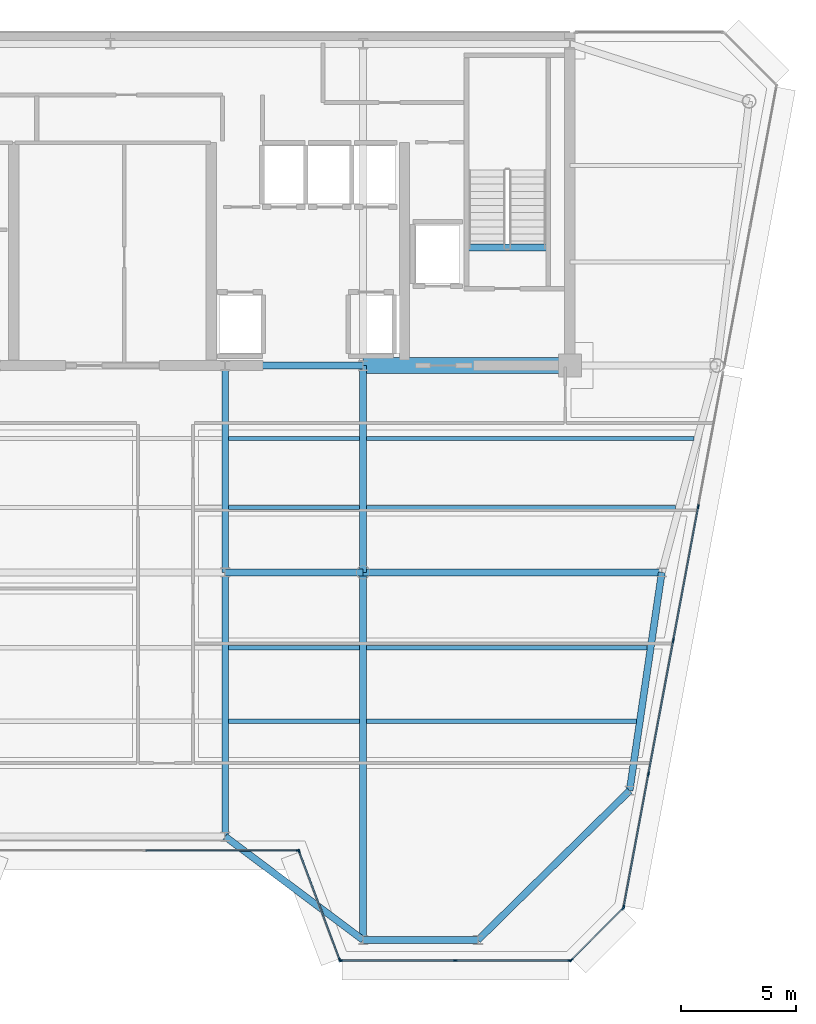
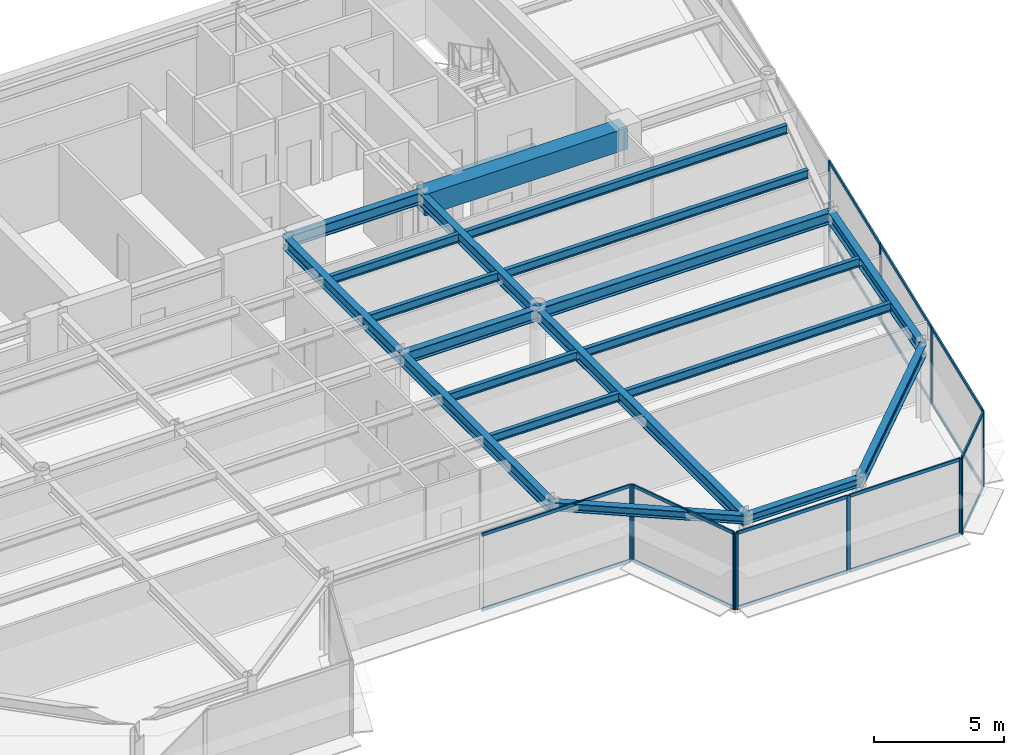
# One storey, part 5 of 18: 28 members, 21 beams, 5 elements without a shape of their own.
"""IFC4 building model written with IfcOpenShell, lengths in metres."""

from ifc_helpers import new_model, si_unit, direction, frame, origin, origin_2d, place, context, subcontext, project, spatial, rectangle, i_section, extrude, source, transform, mapped, material, layer, layer_set, material_profile, profile_set, type_object, element, aggregate, save


model = new_model("IFC4")

# Units and contexts
model_context = context("Model", 3, precision=1e-05, world=origin(), true_north=direction((0.0, 1.0)))
body_context = subcontext(model_context, "Body", "Model", "MODEL_VIEW")
ifc_project = project(units=[si_unit("LENGTHUNIT", "METRE"), si_unit("AREAUNIT", "SQUARE_METRE"), si_unit("VOLUMEUNIT", "CUBIC_METRE"), si_unit("PLANEANGLEUNIT", "RADIAN"), si_unit("MASSUNIT", "GRAM", prefix="KILO")], contexts=[model_context])

# Site, building, storey
site_placement = place(None, origin())
site = spatial("IfcSite", under=ifc_project, at=site_placement, CompositionType="ELEMENT")
building_placement = place(site_placement, origin())
building = spatial("IfcBuilding", under=site, at=building_placement, Name="Vaeldorn Concourse Tower", CompositionType="ELEMENT")
storey_placement = place(building_placement, frame((0.0, 0.0, 246.0)))
storey = spatial("IfcBuildingStorey", under=building, at=storey_placement, Name="L63", CompositionType="ELEMENT", Elevation=246.0)

# Beams
ifc_material_1 = material(Name="Concrete C50/60", Category="concrete")
ifc_material_profile_1 = material_profile(ifc_material_1, rectangle(XDim=0.699951171875, YDim=1.0, at=origin_2d()), Name="RC 700x1000")
ifc_profile_set_1 = profile_set([ifc_material_profile_1], Name="Concrete C50/60")
beam_type_1 = type_object("IfcBeamType", Name="BM-CB-RC700", PredefinedType="BEAM", material=ifc_profile_set_1)
shared_shape_1 = source(origin(), body_context, "Body", "SweptSolid", [
    extrude(rectangle(XDim=0.699951171875, YDim=1.0, at=origin_2d()), origin(), (0.0, 0.0, 1.0), 9.0),
])
beam_1_placement = place(storey_placement, frame((45.0, 36.5, 3.080078125), z_axis=(1.0, 0.0, 0.0), x_axis=(0.0, 1.0, 0.0)))
element("IfcBeam", 1, at=beam_1_placement, inside=storey, type_object=beam_type_1, Name="Core Coupling Beam L63-2", PredefinedType="BEAM", context=body_context, shape_type="MappedRepresentation", body=[
    mapped(shared_shape_1, transform((0.0, 0.0, 0.0), scale=1.0)),
])
ifc_material_2 = material(Name="Steel S355", Category="steel")
ifc_material_profile_2 = material_profile(ifc_material_2, i_section(OverallWidth=0.300048828125, OverallDepth=0.340087890625, WebThickness=0.011962890625, FlangeThickness=0.021484375, FilletRadius=0.027099609375, at=origin_2d()), Name="HEB 340")
ifc_profile_set_2 = profile_set([ifc_material_profile_2], Name="Steel S355")
beam_type_2 = type_object("IfcBeamType", Name="BM-ST-TRIM", PredefinedType="BEAM", material=ifc_profile_set_2)
shared_shape_2 = source(origin(), body_context, "Body", "SweptSolid", [
    extrude(i_section(OverallWidth=0.300048828125, OverallDepth=0.340087890625, WebThickness=0.011962890625, FlangeThickness=0.021484375, FilletRadius=0.027099609375, at=origin_2d()), origin(), (0.0, 0.0, 1.0), 3.590087890625),
])
beam_2_placement = place(storey_placement, frame((49.47998046875, 41.639892578125, -0.389892578125), z_axis=(1.0, 0.0, 0.0), x_axis=(0.0, 1.0, 0.0)))
element("IfcBeam", 2, at=beam_2_placement, inside=storey, type_object=beam_type_2, Name="Stair Landing Trimmer Beam ST-2 L63", PredefinedType="BEAM", context=body_context, shape_type="MappedRepresentation", body=[
    mapped(shared_shape_2, transform((0.0, 0.0, 0.0), scale=1.0)),
])
ifc_material_profile_3 = material_profile(ifc_material_2, i_section(OverallWidth=0.300048828125, OverallDepth=0.39990234375, WebThickness=0.013427734375, FlangeThickness=0.02392578125, FilletRadius=0.027099609375, at=origin_2d()), Name="HEB 400")
ifc_profile_set_3 = profile_set([ifc_material_profile_3], Name="Steel S355")
beam_type_3 = type_object("IfcBeamType", Name="BM-SP-HEB400", PredefinedType="SPANDREL", material=ifc_profile_set_3)
shared_shape_3 = source(origin(), body_context, "Body", "SweptSolid", [
    extrude(i_section(OverallWidth=0.300048828125, OverallDepth=0.39990234375, WebThickness=0.013427734375, FlangeThickness=0.02392578125, FilletRadius=0.027099609375, at=origin_2d()), origin(), (0.0, 0.0, 1.0), 5.0),
])
beam_3_placement = place(storey_placement, frame((45.0, 11.5, 3.3798828125), z_axis=(1.0, 0.0, 0.0), x_axis=(0.0, 1.0, 0.0)))
element("IfcBeam", 3, at=beam_3_placement, inside=storey, type_object=beam_type_3, Name="Beam BM-L63-C-SF5-C-SF6", PredefinedType="SPANDREL", context=body_context, shape_type="MappedRepresentation", body=[
    mapped(shared_shape_3, transform((0.0, 0.0, 0.0), scale=1.0)),
])
shared_shape_4 = source(origin(), body_context, "Body", "SweptSolid", [
    extrude(i_section(OverallWidth=0.300048828125, OverallDepth=0.39990234375, WebThickness=0.013427734375, FlangeThickness=0.02392578125, FilletRadius=0.027099609375, at=origin_2d()), origin(), (0.0, 0.0, 1.0), 7.5),
])
beam_4_placement = place(storey_placement, frame((39.0, 16.0, 3.3798828125), z_axis=(0.8, -0.6, 0.0), x_axis=(0.6, 0.8, 0.0)))
element("IfcBeam", 4, at=beam_4_placement, inside=storey, type_object=beam_type_3, Name="Beam BM-L63-C-SF4-C-SF5", PredefinedType="SPANDREL", context=body_context, shape_type="MappedRepresentation", body=[
    mapped(shared_shape_4, transform((0.0, 0.0, 0.0), scale=1.0)),
])
ifc_material_profile_4 = material_profile(ifc_material_2, i_section(OverallWidth=0.179931640625, OverallDepth=0.39990234375, WebThickness=0.008544921875, FlangeThickness=0.013427734375, FilletRadius=0.02099609375, at=origin_2d()), Name="IPE 400")
ifc_profile_set_4 = profile_set([ifc_material_profile_4], Name="Steel S355")
beam_type_4 = type_object("IfcBeamType", Name="BM-JS-IPE400", PredefinedType="JOIST", material=ifc_profile_set_4)
shared_shape_5 = source(origin(), body_context, "Body", "SweptSolid", [
    extrude(i_section(OverallWidth=0.179931640625, OverallDepth=0.39990234375, WebThickness=0.008544921875, FlangeThickness=0.013427734375, FilletRadius=0.02099609375, at=origin_2d()), origin(), (0.0, 0.0, 1.0), 5.7001953125),
])
for number, where, z_axis, x_axis, name in (
    (5, (39.14990234375, 21.02001953125, 3.3798828125), (1.0, 0.0, 0.0), (0.0, 1.0, 0.0), "Beam JS-L63-E2-210"),
    (6, (39.14990234375, 24.219970703125, 3.3798828125), (1.0, 0.0, 0.0), (0.0, 1.0, 0.0), "Beam JS-L63-E2-242"),
    (7, (39.14990234375, 30.320068359375, 3.3798828125), (1.0, 0.0, 0.0), (0.0, 1.0, 0.0), "Beam JS-L63-E2-303"),
    (8, (39.14990234375, 33.320068359375, 3.3798828125), (1.0, 0.0, 0.0), (0.0, 1.0, 0.0), "Beam JS-L63-E2-333"),
):
    element("IfcBeam", number, at=place(storey_placement, frame(where, z_axis=z_axis, x_axis=x_axis)), inside=storey, type_object=beam_type_4, Name=name, PredefinedType="JOIST", context=body_context, shape_type="MappedRepresentation", body=[
        mapped(shared_shape_5, transform((0.0, 0.0, 0.0), scale=1.0)),
    ])
shared_shape_6 = source(origin(), body_context, "Body", "SweptSolid", [
    extrude(i_section(OverallWidth=0.179931640625, OverallDepth=0.39990234375, WebThickness=0.008544921875, FlangeThickness=0.013427734375, FilletRadius=0.02099609375, at=origin_2d()), origin(), (0.0, 0.0, 1.0), 11.7451171875),
])
beam_5_placement = place(storey_placement, frame((45.14990234375, 21.02001953125, 3.3798828125), z_axis=(1.0, 0.0, 0.0), x_axis=(0.0, 1.0, 0.0)))
element("IfcBeam", 9, at=beam_5_placement, inside=storey, type_object=beam_type_4, Name="Beam JS-L63-E1-210", PredefinedType="JOIST", context=body_context, shape_type="MappedRepresentation", body=[
    mapped(shared_shape_6, transform((0.0, 0.0, 0.0), scale=1.0)),
])
shared_shape_7 = source(origin(), body_context, "Body", "SweptSolid", [
    extrude(i_section(OverallWidth=0.179931640625, OverallDepth=0.39990234375, WebThickness=0.008544921875, FlangeThickness=0.013427734375, FilletRadius=0.02099609375, at=origin_2d()), origin(), (0.0, 0.0, 1.0), 12.216796875),
])
beam_6_placement = place(storey_placement, frame((45.14990234375, 24.219970703125, 3.3798828125), z_axis=(1.0, 0.0, 0.0), x_axis=(0.0, 1.0, 0.0)))
element("IfcBeam", 10, at=beam_6_placement, inside=storey, type_object=beam_type_4, Name="Beam JS-L63-E1-242", PredefinedType="JOIST", context=body_context, shape_type="MappedRepresentation", body=[
    mapped(shared_shape_7, transform((0.0, 0.0, 0.0), scale=1.0)),
])
shared_shape_8 = source(origin(), body_context, "Body", "SweptSolid", [
    extrude(i_section(OverallWidth=0.179931640625, OverallDepth=0.39990234375, WebThickness=0.008544921875, FlangeThickness=0.013427734375, FilletRadius=0.02099609375, at=origin_2d()), origin(), (0.0, 0.0, 1.0), 13.4521484375),
])
beam_7_placement = place(storey_placement, frame((45.14990234375, 30.320068359375, 3.3798828125), z_axis=(1.0, 0.0, 0.0), x_axis=(0.0, 1.0, 0.0)))
element("IfcBeam", 11, at=beam_7_placement, inside=storey, type_object=beam_type_4, Name="Beam JS-L63-E1-303", PredefinedType="JOIST", context=body_context, shape_type="MappedRepresentation", body=[
    mapped(shared_shape_8, transform((0.0, 0.0, 0.0), scale=1.0)),
])
shared_shape_9 = source(origin(), body_context, "Body", "SweptSolid", [
    extrude(i_section(OverallWidth=0.179931640625, OverallDepth=0.39990234375, WebThickness=0.008544921875, FlangeThickness=0.013427734375, FilletRadius=0.02099609375, at=origin_2d()), origin(), (0.0, 0.0, 1.0), 14.252197265625),
])
beam_8_placement = place(storey_placement, frame((45.14990234375, 33.320068359375, 3.3798828125), z_axis=(1.0, 0.0, 0.0), x_axis=(0.0, 1.0, 0.0)))
element("IfcBeam", 12, at=beam_8_placement, inside=storey, type_object=beam_type_4, Name="Beam JS-L63-E1-333", PredefinedType="JOIST", context=body_context, shape_type="MappedRepresentation", body=[
    mapped(shared_shape_9, transform((0.0, 0.0, 0.0), scale=1.0)),
])
ifc_material_profile_5 = material_profile(ifc_material_2, i_section(OverallWidth=0.300048828125, OverallDepth=0.550048828125, WebThickness=0.014892578125, FlangeThickness=0.029052734375, FilletRadius=0.027099609375, at=origin_2d()), Name="HEB 550")
ifc_profile_set_5 = profile_set([ifc_material_profile_5], Name="Steel S355")
beam_type_5 = type_object("IfcBeamType", Name="BM-PG-HEB550", PredefinedType="BEAM", material=ifc_profile_set_5)
shared_shape_10 = source(origin(), body_context, "Body", "SweptSolid", [
    extrude(i_section(OverallWidth=0.300048828125, OverallDepth=0.550048828125, WebThickness=0.014892578125, FlangeThickness=0.029052734375, FilletRadius=0.027099609375, at=origin_2d()), origin(), (0.0, 0.0, 1.0), 6.0),
])
for number, where, z_axis, x_axis, name in (
    (13, (39.0, 36.5, 3.304931640625), (1.0, 0.0, 0.0), (0.0, 1.0, 0.0), "Beam BM-L63-C-FC4-C-FC5"),
    (14, (39.0, 27.5, 3.304931640625), (1.0, 0.0, 0.0), (0.0, 1.0, 0.0), "Beam BM-L63-C-TW3-C-TW4"),
):
    element("IfcBeam", number, at=place(storey_placement, frame(where, z_axis=z_axis, x_axis=x_axis)), inside=storey, type_object=beam_type_5, Name=name, PredefinedType="BEAM", context=body_context, shape_type="MappedRepresentation", body=[
        mapped(shared_shape_10, transform((0.0, 0.0, 0.0), scale=1.0)),
    ])
shared_shape_11 = source(origin(), body_context, "Body", "SweptSolid", [
    extrude(i_section(OverallWidth=0.300048828125, OverallDepth=0.550048828125, WebThickness=0.014892578125, FlangeThickness=0.029052734375, FilletRadius=0.027099609375, at=origin_2d()), origin(), (0.0, 0.0, 1.0), 9.0),
])
for number, where, z_axis, x_axis, name in (
    (15, (39.0, 27.5, 3.304931640625), (0.0, 1.0, 0.0), (-1.0, 0.0, 0.0), "Beam BM-L63-C-TW3-C-FC4"),
    (16, (45.0, 27.5, 3.304931640625), (0.0, 1.0, 0.0), (-1.0, 0.0, 0.0), "Beam BM-L63-C-TW4-C-FC5"),
):
    element("IfcBeam", number, at=place(storey_placement, frame(where, z_axis=z_axis, x_axis=x_axis)), inside=storey, type_object=beam_type_5, Name=name, PredefinedType="BEAM", context=body_context, shape_type="MappedRepresentation", body=[
        mapped(shared_shape_11, transform((0.0, 0.0, 0.0), scale=1.0)),
    ])
shared_shape_12 = source(origin(), body_context, "Body", "SweptSolid", [
    extrude(i_section(OverallWidth=0.300048828125, OverallDepth=0.550048828125, WebThickness=0.014892578125, FlangeThickness=0.029052734375, FilletRadius=0.027099609375, at=origin_2d()), origin(), (0.0, 0.0, 1.0), 13.0),
])
beam_9_placement = place(storey_placement, frame((45.0, 27.5, 3.304931640625), z_axis=(1.0, 0.0, 0.0), x_axis=(0.0, 1.0, 0.0)))
element("IfcBeam", 17, at=beam_9_placement, inside=storey, type_object=beam_type_5, Name="Beam BM-L63-C-TW4-C-FLE1", PredefinedType="BEAM", context=body_context, shape_type="MappedRepresentation", body=[
    mapped(shared_shape_12, transform((0.0, 0.0, 0.0), scale=1.0)),
])
shared_shape_13 = source(origin(), body_context, "Body", "SweptSolid", [
    extrude(i_section(OverallWidth=0.300048828125, OverallDepth=0.550048828125, WebThickness=0.014892578125, FlangeThickness=0.029052734375, FilletRadius=0.027099609375, at=origin_2d()), origin(), (0.0, 0.0, 1.0), 9.6025390625),
])
beam_10_placement = place(storey_placement, frame((58.0, 27.5, 3.304931640625), z_axis=(-0.145783835977, -0.989316467652, 0.0), x_axis=(0.989316467652, -0.145783835977, 0.0)))
element("IfcBeam", 18, at=beam_10_placement, inside=storey, type_object=beam_type_5, Name="Beam BM-L63-C-FLE1-C-FLE2", PredefinedType="BEAM", context=body_context, shape_type="MappedRepresentation", body=[
    mapped(shared_shape_13, transform((0.0, 0.0, 0.0), scale=1.0)),
])
shared_shape_14 = source(origin(), body_context, "Body", "SweptSolid", [
    extrude(i_section(OverallWidth=0.300048828125, OverallDepth=0.550048828125, WebThickness=0.014892578125, FlangeThickness=0.029052734375, FilletRadius=0.027099609375, at=origin_2d()), origin(), (0.0, 0.0, 1.0), 9.263427734375),
])
beam_11_placement = place(storey_placement, frame((50.0, 11.5, 3.304931640625), z_axis=(0.71248897494, 0.701683305053, 0.0), x_axis=(-0.701683305053, 0.71248897494, 0.0)))
element("IfcBeam", 19, at=beam_11_placement, inside=storey, type_object=beam_type_5, Name="Beam BM-L63-C-SF6-C-FLE2", PredefinedType="BEAM", context=body_context, shape_type="MappedRepresentation", body=[
    mapped(shared_shape_14, transform((0.0, 0.0, 0.0), scale=1.0)),
])
shared_shape_15 = source(origin(), body_context, "Body", "SweptSolid", [
    extrude(i_section(OverallWidth=0.300048828125, OverallDepth=0.550048828125, WebThickness=0.014892578125, FlangeThickness=0.029052734375, FilletRadius=0.027099609375, at=origin_2d()), origin(), (0.0, 0.0, 1.0), 16.0),
])
beam_12_placement = place(storey_placement, frame((45.0, 11.5, 3.304931640625), z_axis=(0.0, 1.0, 0.0), x_axis=(-1.0, 0.0, 0.0)))
element("IfcBeam", 20, at=beam_12_placement, inside=storey, type_object=beam_type_5, Name="Beam BM-L63-C-SF5-C-TW4", PredefinedType="BEAM", context=body_context, shape_type="MappedRepresentation", body=[
    mapped(shared_shape_15, transform((0.0, 0.0, 0.0), scale=1.0)),
])
shared_shape_16 = source(origin(), body_context, "Body", "SweptSolid", [
    extrude(i_section(OverallWidth=0.300048828125, OverallDepth=0.550048828125, WebThickness=0.014892578125, FlangeThickness=0.029052734375, FilletRadius=0.027099609375, at=origin_2d()), origin(), (0.0, 0.0, 1.0), 11.5),
])
beam_13_placement = place(storey_placement, frame((39.0, 16.0, 3.304931640625), z_axis=(0.0, 1.0, 0.0), x_axis=(-1.0, 0.0, 0.0)))
element("IfcBeam", 21, at=beam_13_placement, inside=storey, type_object=beam_type_5, Name="Beam BM-L63-C-SF4-C-TW3", PredefinedType="BEAM", context=body_context, shape_type="MappedRepresentation", body=[
    mapped(shared_shape_16, transform((0.0, 0.0, 0.0), scale=1.0)),
])

# Curtain wall, members
ifc_material_3 = material(Name="Anodised Bronze Aluminium", Category="aluminium")
ifc_layer = layer(ifc_material_3, 0.179931640625)
ifc_layer_set = layer_set([ifc_layer], Name="Anodised Bronze Aluminium")
curtain_wall_type = type_object("IfcCurtainWallType", Name="CW-SYS-05", PredefinedType="NOTDEFINED", material=ifc_layer_set)
curtain_wall_1_placement = place(storey_placement, origin())
curtain_wall_1 = element("IfcCurtainWall", 22, at=curtain_wall_1_placement, inside=storey, type_object=curtain_wall_type, Name="Unitised Curtain Wall CW-L63-E04-1", PredefinedType="NOTDEFINED")
ifc_material_profile_6 = material_profile(ifc_material_3, rectangle(XDim=0.06494140625, YDim=0.14990234375, at=origin_2d()), Name="CWT 65x150")
ifc_profile_set_6 = profile_set([ifc_material_profile_6], Name="Anodised Bronze Aluminium")
member_type_1 = type_object("IfcMemberType", Name="CWT-BRONZE-150", PredefinedType="USERDEFINED", material=ifc_profile_set_6)
shared_shape_17 = source(origin(), body_context, "Body", "SweptSolid", [
    extrude(rectangle(XDim=0.06494140625, YDim=0.14990234375, at=origin_2d()), origin(), (0.0, 0.0, 1.0), 4.996337890625),
])
member_1_placement = place(storey_placement, frame((42.222900390625, 15.339111328125, 0.032470703125), z_axis=(0.351134151405, -0.936325161318, 0.0), x_axis=(0.936325161318, 0.351134151405, 0.0)))
member_1 = element("IfcMember", 23, at=member_1_placement, type_object=member_type_1, Name="CW-05 transom 1.1", ObjectType="TRANSOM", PredefinedType="USERDEFINED", context=body_context, shape_type="MappedRepresentation", body=[
    mapped(shared_shape_17, transform((0.0, 0.0, 0.0), scale=1.0)),
])
member_2_placement = place(storey_placement, frame((42.222900390625, 15.339111328125, 3.547607421875), z_axis=(0.351134151405, -0.936325161318, 0.0), x_axis=(0.936325161318, 0.351134151405, 0.0)))
member_2 = element("IfcMember", 24, at=member_2_placement, type_object=member_type_1, Name="CW-05 transom 1.2", ObjectType="TRANSOM", PredefinedType="USERDEFINED", context=body_context, shape_type="MappedRepresentation", body=[
    mapped(shared_shape_17, transform((0.0, 0.0, 0.0), scale=1.0)),
])

curtain_wall_2_placement = place(storey_placement, origin())
curtain_wall_2 = element("IfcCurtainWall", 25, at=curtain_wall_2_placement, inside=storey, type_object=curtain_wall_type, Name="Unitised Curtain Wall CW-L63-E03-1", PredefinedType="NOTDEFINED")
shared_shape_18 = source(origin(), body_context, "Body", "SweptSolid", [
    extrude(rectangle(XDim=0.06494140625, YDim=0.14990234375, at=origin_2d()), origin(), (0.0, 0.0, 1.0), 6.6025390625),
])
member_3_placement = place(storey_placement, frame((35.532470703125, 15.39990234375, 0.032470703125), z_axis=(1.0, 0.0, 0.0), x_axis=(0.0, 1.0, 0.0)))
member_3 = element("IfcMember", 26, at=member_3_placement, type_object=member_type_1, Name="CW-05 transom 2.1", ObjectType="TRANSOM", PredefinedType="USERDEFINED", context=body_context, shape_type="MappedRepresentation", body=[
    mapped(shared_shape_18, transform((0.0, 0.0, 0.0), scale=1.0)),
])
member_4_placement = place(storey_placement, frame((35.532470703125, 15.39990234375, 3.547607421875), z_axis=(1.0, 0.0, 0.0), x_axis=(0.0, 1.0, 0.0)))
member_4 = element("IfcMember", 27, at=member_4_placement, type_object=member_type_1, Name="CW-05 transom 2.2", ObjectType="TRANSOM", PredefinedType="USERDEFINED", context=body_context, shape_type="MappedRepresentation", body=[
    mapped(shared_shape_18, transform((0.0, 0.0, 0.0), scale=1.0)),
])

curtain_wall_3_placement = place(storey_placement, origin())
curtain_wall_3 = element("IfcCurtainWall", 28, at=curtain_wall_3_placement, inside=storey, type_object=curtain_wall_type, Name="Unitised Curtain Wall CW-L63-E06-1", PredefinedType="NOTDEFINED")
shared_shape_19 = source(origin(), body_context, "Body", "SweptSolid", [
    extrude(rectangle(XDim=0.06494140625, YDim=0.14990234375, at=origin_2d()), origin(), (0.0, 0.0, 1.0), 3.12255859375),
])
member_5_placement = place(storey_placement, frame((54.080078125, 10.64599609375, 0.032470703125), z_axis=(0.707106781187, 0.707106781187, 0.0), x_axis=(-0.707106781187, 0.707106781187, 0.0)))
member_5 = element("IfcMember", 29, at=member_5_placement, type_object=member_type_1, Name="CW-05 transom 1.1", ObjectType="TRANSOM", PredefinedType="USERDEFINED", context=body_context, shape_type="MappedRepresentation", body=[
    mapped(shared_shape_19, transform((0.0, 0.0, 0.0), scale=1.0)),
])
member_6_placement = place(storey_placement, frame((54.080078125, 10.64599609375, 3.547607421875), z_axis=(0.707106781187, 0.707106781187, 0.0), x_axis=(-0.707106781187, 0.707106781187, 0.0)))
member_6 = element("IfcMember", 30, at=member_6_placement, type_object=member_type_1, Name="CW-05 transom 1.2", ObjectType="TRANSOM", PredefinedType="USERDEFINED", context=body_context, shape_type="MappedRepresentation", body=[
    mapped(shared_shape_19, transform((0.0, 0.0, 0.0), scale=1.0)),
])

# Member
ifc_material_profile_7 = material_profile(ifc_material_3, rectangle(XDim=0.06494140625, YDim=0.169921875, at=origin_2d()), Name="CWM 65x170")
ifc_profile_set_7 = profile_set([ifc_material_profile_7], Name="Anodised Bronze Aluminium")
member_type_2 = type_object("IfcMemberType", Name="CWM-BRONZE-170", PredefinedType="MULLION", material=ifc_profile_set_7)
shared_shape_20 = source(origin(), body_context, "Body", "SweptSolid", [
    extrude(rectangle(XDim=0.06494140625, YDim=0.169921875, at=origin_2d()), origin(), (0.0, 0.0, 1.0), 3.580078125),
])
member_7_placement = place(storey_placement, frame((42.16748046875, 15.39990234375, 0.0), z_axis=(0.0, 0.0, 1.0), x_axis=(0.0, 1.0, 0.0)))
member_7 = element("IfcMember", 31, at=member_7_placement, type_object=member_type_2, Name="CW-05 mullion 3", PredefinedType="MULLION", context=body_context, shape_type="MappedRepresentation", body=[
    mapped(shared_shape_20, transform((0.0, 0.0, 0.0), scale=1.0)),
])

aggregate(curtain_wall_2, [member_7, member_3, member_4])

member_8_placement = place(storey_placement, frame((42.21142578125, 15.36962890625, 0.0), z_axis=(0.0, 0.0, 1.0), x_axis=(0.936329177566, 0.351123441595, 0.0)))
member_8 = element("IfcMember", 32, at=member_8_placement, type_object=member_type_2, Name="CW-05 mullion 1", PredefinedType="MULLION", context=body_context, shape_type="MappedRepresentation", body=[
    mapped(shared_shape_20, transform((0.0, 0.0, 0.0), scale=1.0)),
])

member_9_placement = place(storey_placement, frame((43.988525390625, 10.63037109375, 0.0), z_axis=(0.0, 0.0, 1.0), x_axis=(0.936329177566, 0.351123441595, 0.0)))
member_9 = element("IfcMember", 33, at=member_9_placement, type_object=member_type_2, Name="CW-05 mullion 2", PredefinedType="MULLION", context=body_context, shape_type="MappedRepresentation", body=[
    mapped(shared_shape_20, transform((0.0, 0.0, 0.0), scale=1.0)),
])

aggregate(curtain_wall_1, [member_8, member_9, member_1, member_2])

# Curtain wall, members
curtain_wall_4_placement = place(storey_placement, origin())
curtain_wall_4 = element("IfcCurtainWall", 34, at=curtain_wall_4_placement, inside=storey, type_object=curtain_wall_type, Name="Unitised Curtain Wall CW-L63-E05-1", PredefinedType="NOTDEFINED")
member_10_placement = place(storey_placement, frame((44.032470703125, 10.60009765625, 0.0), z_axis=(0.0, 0.0, 1.0), x_axis=(0.0, 1.0, 0.0)))
member_10 = element("IfcMember", 35, at=member_10_placement, type_object=member_type_2, Name="CW-05 mullion 1", PredefinedType="MULLION", context=body_context, shape_type="MappedRepresentation", body=[
    mapped(shared_shape_20, transform((0.0, 0.0, 0.0), scale=1.0)),
])
member_11_placement = place(storey_placement, frame((49.01708984375, 10.60009765625, 0.0), z_axis=(0.0, 0.0, 1.0), x_axis=(0.0, 1.0, 0.0)))
member_11 = element("IfcMember", 36, at=member_11_placement, type_object=member_type_2, Name="CW-05 mullion 2", PredefinedType="MULLION", context=body_context, shape_type="MappedRepresentation", body=[
    mapped(shared_shape_20, transform((0.0, 0.0, 0.0), scale=1.0)),
])
member_12_placement = place(storey_placement, frame((54.00146484375, 10.60009765625, 0.0), z_axis=(0.0, 0.0, 1.0), x_axis=(0.0, 1.0, 0.0)))
member_12 = element("IfcMember", 37, at=member_12_placement, type_object=member_type_2, Name="CW-05 mullion 3", PredefinedType="MULLION", context=body_context, shape_type="MappedRepresentation", body=[
    mapped(shared_shape_20, transform((0.0, 0.0, 0.0), scale=1.0)),
])

# Member
member_13_placement = place(storey_placement, frame((54.056884765625, 10.623046875, 0.0), z_axis=(0.0, 0.0, 1.0), x_axis=(-0.707106781187, 0.707106781187, 0.0)))
member_13 = element("IfcMember", 38, at=member_13_placement, type_object=member_type_2, Name="CW-05 mullion 1", PredefinedType="MULLION", context=body_context, shape_type="MappedRepresentation", body=[
    mapped(shared_shape_20, transform((0.0, 0.0, 0.0), scale=1.0)),
])

member_14_placement = place(storey_placement, frame((56.31103515625, 12.876953125, 0.0), z_axis=(0.0, 0.0, 1.0), x_axis=(-0.707106781187, 0.707106781187, 0.0)))
member_14 = element("IfcMember", 39, at=member_14_placement, type_object=member_type_2, Name="CW-05 mullion 2", PredefinedType="MULLION", context=body_context, shape_type="MappedRepresentation", body=[
    mapped(shared_shape_20, transform((0.0, 0.0, 0.0), scale=1.0)),
])

aggregate(curtain_wall_3, [member_13, member_14, member_5, member_6])

# Curtain wall, members
curtain_wall_5_placement = place(storey_placement, origin())
curtain_wall_5 = element("IfcCurtainWall", 40, at=curtain_wall_5_placement, inside=storey, type_object=curtain_wall_type, Name="Unitised Curtain Wall CW-L63-E07-1", PredefinedType="NOTDEFINED")
member_15_placement = place(storey_placement, frame((56.33984375, 12.931884765625, 0.0), z_axis=(0.0, 0.0, 1.0), x_axis=(-0.983102653673, 0.18305510739, 0.0)))
member_15 = element("IfcMember", 41, at=member_15_placement, type_object=member_type_2, Name="CW-05 mullion 1", PredefinedType="MULLION", context=body_context, shape_type="MappedRepresentation", body=[
    mapped(shared_shape_20, transform((0.0, 0.0, 0.0), scale=1.0)),
])
member_16_placement = place(storey_placement, frame((57.41796875, 18.72119140625, 0.0), z_axis=(0.0, 0.0, 1.0), x_axis=(-0.983102653673, 0.18305510739, 0.0)))
member_16 = element("IfcMember", 42, at=member_16_placement, type_object=member_type_2, Name="CW-05 mullion 2", PredefinedType="MULLION", context=body_context, shape_type="MappedRepresentation", body=[
    mapped(shared_shape_20, transform((0.0, 0.0, 0.0), scale=1.0)),
])
member_17_placement = place(storey_placement, frame((58.501953125, 24.54248046875, 0.0), z_axis=(0.0, 0.0, 1.0), x_axis=(-0.983102653673, 0.18305510739, 0.0)))
member_17 = element("IfcMember", 43, at=member_17_placement, type_object=member_type_2, Name="CW-05 mullion 3", PredefinedType="MULLION", context=body_context, shape_type="MappedRepresentation", body=[
    mapped(shared_shape_20, transform((0.0, 0.0, 0.0), scale=1.0)),
])
member_18_placement = place(storey_placement, frame((59.585693359375, 30.36376953125, 0.0), z_axis=(0.0, 0.0, 1.0), x_axis=(-0.983102653673, 0.18305510739, 0.0)))
member_18 = element("IfcMember", 44, at=member_18_placement, type_object=member_type_2, Name="CW-05 mullion 4", PredefinedType="MULLION", context=body_context, shape_type="MappedRepresentation", body=[
    mapped(shared_shape_20, transform((0.0, 0.0, 0.0), scale=1.0)),
])
shared_shape_21 = source(origin(), body_context, "Body", "SweptSolid", [
    extrude(rectangle(XDim=0.06494140625, YDim=0.14990234375, at=origin_2d()), origin(), (0.0, 0.0, 1.0), 5.82373046875),
])
member_19_placement = place(storey_placement, frame((56.345947265625, 12.9638671875, 0.032470703125), z_axis=(0.183030414843, 0.983107251139, 0.0), x_axis=(-0.983107251139, 0.183030414843, 0.0)))
member_19 = element("IfcMember", 45, at=member_19_placement, type_object=member_type_1, Name="CW-05 transom 1.1", ObjectType="TRANSOM", PredefinedType="USERDEFINED", context=body_context, shape_type="MappedRepresentation", body=[
    mapped(shared_shape_21, transform((0.0, 0.0, 0.0), scale=1.0)),
])
member_20_placement = place(storey_placement, frame((56.345947265625, 12.9638671875, 3.547607421875), z_axis=(0.183030414843, 0.983107251139, 0.0), x_axis=(-0.983107251139, 0.183030414843, 0.0)))
member_20 = element("IfcMember", 46, at=member_20_placement, type_object=member_type_1, Name="CW-05 transom 1.2", ObjectType="TRANSOM", PredefinedType="USERDEFINED", context=body_context, shape_type="MappedRepresentation", body=[
    mapped(shared_shape_21, transform((0.0, 0.0, 0.0), scale=1.0)),
])
shared_shape_22 = source(origin(), body_context, "Body", "SweptSolid", [
    extrude(rectangle(XDim=0.06494140625, YDim=0.14990234375, at=origin_2d()), origin(), (0.0, 0.0, 1.0), 5.856201171875),
])
member_21_placement = place(storey_placement, frame((57.423828125, 18.753173828125, 0.032470703125), z_axis=(0.18305503402, 0.983102667334, 0.0), x_axis=(-0.983102667334, 0.18305503402, 0.0)))
member_21 = element("IfcMember", 47, at=member_21_placement, type_object=member_type_1, Name="CW-05 transom 2.1", ObjectType="TRANSOM", PredefinedType="USERDEFINED", context=body_context, shape_type="MappedRepresentation", body=[
    mapped(shared_shape_22, transform((0.0, 0.0, 0.0), scale=1.0)),
])
member_22_placement = place(storey_placement, frame((57.423828125, 18.753173828125, 3.547607421875), z_axis=(0.18305503402, 0.983102667334, 0.0), x_axis=(-0.983102667334, 0.18305503402, 0.0)))
member_22 = element("IfcMember", 48, at=member_22_placement, type_object=member_type_1, Name="CW-05 transom 2.2", ObjectType="TRANSOM", PredefinedType="USERDEFINED", context=body_context, shape_type="MappedRepresentation", body=[
    mapped(shared_shape_22, transform((0.0, 0.0, 0.0), scale=1.0)),
])
member_23_placement = place(storey_placement, frame((58.5078125, 24.574462890625, 0.032470703125), z_axis=(0.18305503402, 0.983102667334, 0.0), x_axis=(-0.983102667334, 0.18305503402, 0.0)))
member_23 = element("IfcMember", 49, at=member_23_placement, type_object=member_type_1, Name="CW-05 transom 3.1", ObjectType="TRANSOM", PredefinedType="USERDEFINED", context=body_context, shape_type="MappedRepresentation", body=[
    mapped(shared_shape_22, transform((0.0, 0.0, 0.0), scale=1.0)),
])
member_24_placement = place(storey_placement, frame((58.5078125, 24.574462890625, 3.547607421875), z_axis=(0.18305503402, 0.983102667334, 0.0), x_axis=(-0.983102667334, 0.18305503402, 0.0)))
member_24 = element("IfcMember", 50, at=member_24_placement, type_object=member_type_1, Name="CW-05 transom 3.2", ObjectType="TRANSOM", PredefinedType="USERDEFINED", context=body_context, shape_type="MappedRepresentation", body=[
    mapped(shared_shape_22, transform((0.0, 0.0, 0.0), scale=1.0)),
])
aggregate(curtain_wall_5, [member_15, member_16, member_17, member_18, member_19, member_20, member_21, member_22, member_23, member_24])

# Member
shared_shape_23 = source(origin(), body_context, "Body", "SweptSolid", [
    extrude(rectangle(XDim=0.06494140625, YDim=0.14990234375, at=origin_2d()), origin(), (0.0, 0.0, 1.0), 4.919677734375),
])
member_25_placement = place(storey_placement, frame((44.06494140625, 10.60009765625, 0.032470703125), z_axis=(1.0, 0.0, 0.0), x_axis=(0.0, 1.0, 0.0)))
member_25 = element("IfcMember", 51, at=member_25_placement, type_object=member_type_1, Name="CW-05 transom 1.1", ObjectType="TRANSOM", PredefinedType="USERDEFINED", context=body_context, shape_type="MappedRepresentation", body=[
    mapped(shared_shape_23, transform((0.0, 0.0, 0.0), scale=1.0)),
])

member_26_placement = place(storey_placement, frame((44.06494140625, 10.60009765625, 3.547607421875), z_axis=(1.0, 0.0, 0.0), x_axis=(0.0, 1.0, 0.0)))
member_26 = element("IfcMember", 52, at=member_26_placement, type_object=member_type_1, Name="CW-05 transom 1.2", ObjectType="TRANSOM", PredefinedType="USERDEFINED", context=body_context, shape_type="MappedRepresentation", body=[
    mapped(shared_shape_23, transform((0.0, 0.0, 0.0), scale=1.0)),
])

shared_shape_24 = source(origin(), body_context, "Body", "SweptSolid", [
    extrude(rectangle(XDim=0.06494140625, YDim=0.14990234375, at=origin_2d()), origin(), (0.0, 0.0, 1.0), 4.91943359375),
])
member_27_placement = place(storey_placement, frame((49.049560546875, 10.60009765625, 0.032470703125), z_axis=(1.0, 0.0, 0.0), x_axis=(0.0, 1.0, 0.0)))
member_27 = element("IfcMember", 53, at=member_27_placement, type_object=member_type_1, Name="CW-05 transom 2.1", ObjectType="TRANSOM", PredefinedType="USERDEFINED", context=body_context, shape_type="MappedRepresentation", body=[
    mapped(shared_shape_24, transform((0.0, 0.0, 0.0), scale=1.0)),
])

member_28_placement = place(storey_placement, frame((49.049560546875, 10.60009765625, 3.547607421875), z_axis=(1.0, 0.0, 0.0), x_axis=(0.0, 1.0, 0.0)))
member_28 = element("IfcMember", 54, at=member_28_placement, type_object=member_type_1, Name="CW-05 transom 2.2", ObjectType="TRANSOM", PredefinedType="USERDEFINED", context=body_context, shape_type="MappedRepresentation", body=[
    mapped(shared_shape_24, transform((0.0, 0.0, 0.0), scale=1.0)),
])

aggregate(curtain_wall_4, [member_10, member_11, member_12, member_25, member_26, member_27, member_28])

save(model, "model.ifc")
